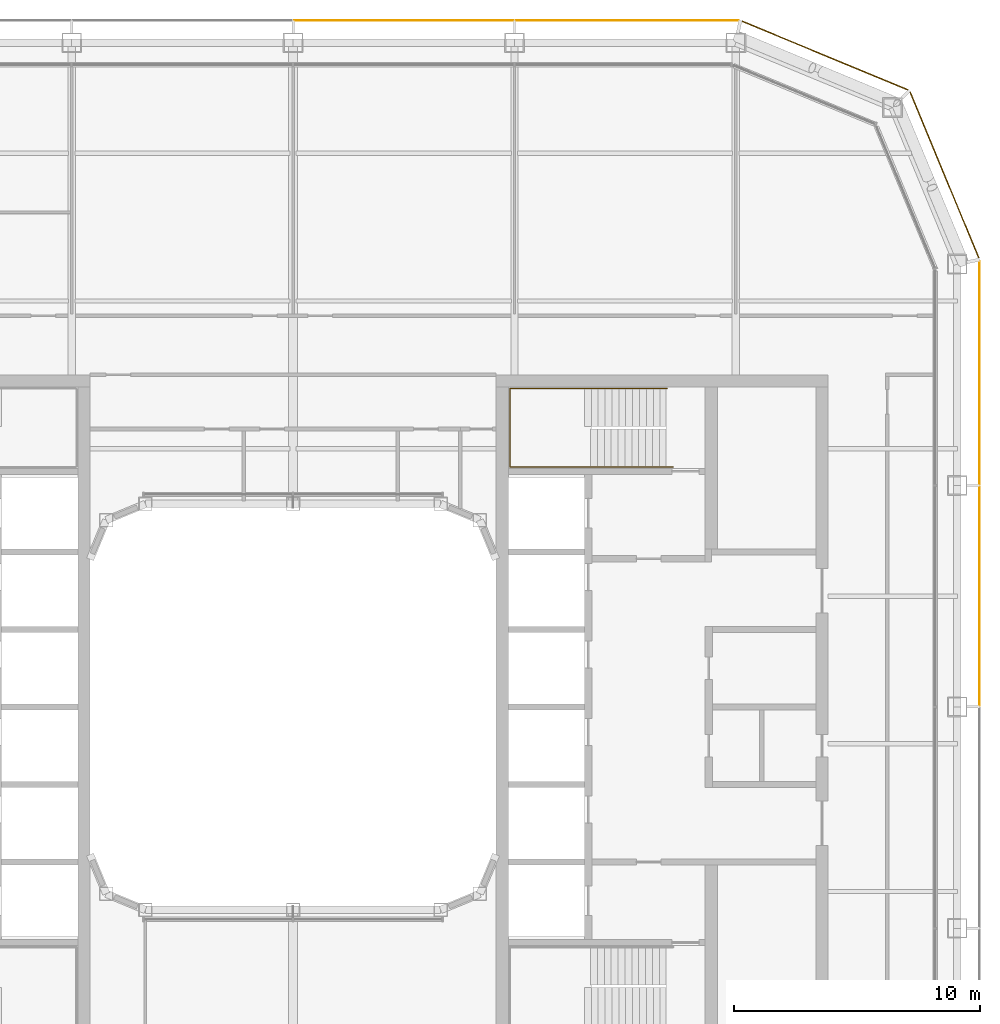
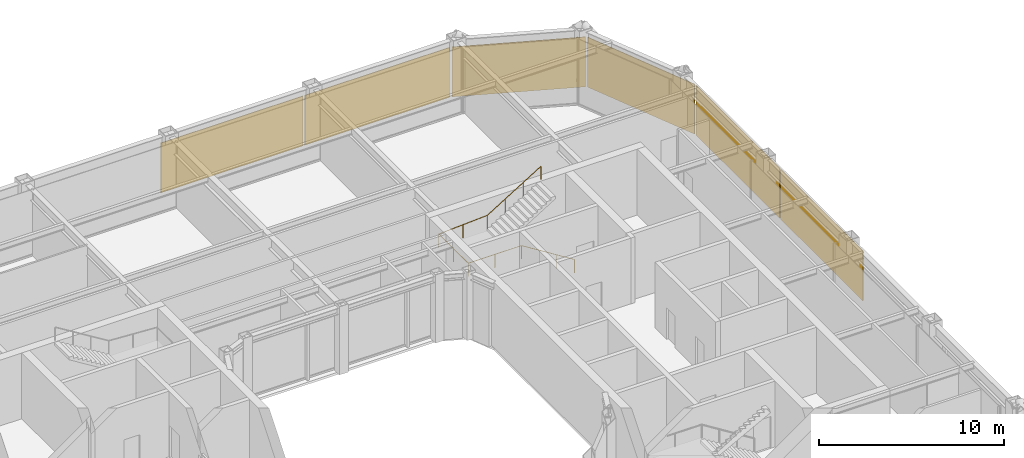
# One storey, part 19 of 19: 6 coverings, 1 railing.
"""IFC4 building model written with IfcOpenShell, lengths in metres."""

from ifc_helpers import new_model, si_unit, direction, frame, origin, origin_2d, place, context, subcontext, project, spatial, rectangle, circle, extrude, material, layer, layer_set, type_object, element, save


model = new_model("IFC4")

# Units and contexts
model_context = context("Model", 3, precision=1e-05, world=origin(), true_north=direction((0.0, 1.0)))
body_context = subcontext(model_context, "Body", "Model", "MODEL_VIEW")
ifc_project = project(units=[si_unit("LENGTHUNIT", "METRE"), si_unit("AREAUNIT", "SQUARE_METRE"), si_unit("VOLUMEUNIT", "CUBIC_METRE"), si_unit("PLANEANGLEUNIT", "RADIAN"), si_unit("MASSUNIT", "GRAM", prefix="KILO")], contexts=[model_context])

# Site, building, storey
site_placement = place(None, origin())
site = spatial("IfcSite", under=ifc_project, at=site_placement, CompositionType="ELEMENT")
building_placement = place(site_placement, origin())
building = spatial("IfcBuilding", under=site, at=building_placement, Name="Siwar Civic Tower", CompositionType="ELEMENT")
storey_placement = place(building_placement, frame((0.0, 0.0, 246.699951171875)))
storey = spatial("IfcBuildingStorey", under=building, at=storey_placement, Name="L53", CompositionType="ELEMENT", Elevation=246.699951171875)

# Railing
ifc_material_1 = material(Name="Stainless steel", Category="steel")
railing_type = type_object("IfcRailingType", Name="CORE-STAIR-HANDRAIL", PredefinedType="HANDRAIL", material=ifc_material_1)
railing_placement = place(storey_placement, frame((15.449951171875, 9.758056640625, 0.173095703125)))
element("IfcRailing", 1, at=railing_placement, inside=storey, type_object=railing_type, Name="Stair handrail ST3", PredefinedType="HANDRAIL", context=body_context, shape_type="SweptSolid", body=[
    extrude(circle(Radius=0.02001953125, at=origin_2d()), frame((0.0, 0.0, 0.8798828125), z_axis=(-0.847063342986, 0.0, 0.531491950051), x_axis=(0.0, -1.0, 0.0)), (0.0, 0.0, 1.0), 3.90771484375),
    extrude(circle(Radius=0.02001953125, at=origin_2d()), frame((-3.31005859375, 0.0, 2.956787109375), z_axis=(-1.0, 0.0, 0.0), x_axis=(0.0, -1.0, 0.0)), (0.0, 0.0, 1.0), 3.331787109375),
    extrude(circle(Radius=0.02001953125, at=origin_2d()), frame((-6.641845703125, 0.0, 2.956787109375), z_axis=(0.0, 1.0, 0.0), x_axis=(-1.0, 0.0, 0.0)), (0.0, 0.0, 1.0), 3.183837890625),
    extrude(circle(Radius=0.02001953125, at=origin_2d()), frame((-6.641845703125, 3.183837890625, 2.956787109375), z_axis=(0.99837434197, 0.0, 0.056997134106), x_axis=(0.0, 1.0, 0.0)), (0.0, 0.0, 1.0), 3.036865234375),
    extrude(circle(Radius=0.02001953125, at=origin_2d()), frame((-3.60986328125, 3.183837890625, 3.1298828125), z_axis=(0.850606129759, 0.0, 0.525803396734), x_axis=(0.0, 1.0, 0.0)), (0.0, 0.0, 1.0), 3.949951171875),
    extrude(circle(Radius=0.02001953125, at=origin_2d()), origin(), (0.0, 0.0, 1.0), 0.85986328125),
    extrude(circle(Radius=0.02001953125, at=origin_2d()), frame((-1.103271484375, 0.0, 0.6923828125)), (0.0, 0.0, 1.0), 0.85986328125),
    extrude(circle(Radius=0.02001953125, at=origin_2d()), frame((-2.206787109375, 0.0, 1.384521484375)), (0.0, 0.0, 1.0), 0.85986328125),
    extrude(circle(Radius=0.02001953125, at=origin_2d()), frame((-3.31005859375, 0.0, 2.076904296875)), (0.0, 0.0, 1.0), 0.85986328125),
    extrude(circle(Radius=0.02001953125, at=origin_2d()), frame((-4.97607421875, 0.0, 2.076904296875)), (0.0, 0.0, 1.0), 0.85986328125),
    extrude(circle(Radius=0.02001953125, at=origin_2d()), frame((-6.641845703125, 0.0, 2.076904296875)), (0.0, 0.0, 1.0), 0.85986328125),
    extrude(circle(Radius=0.02001953125, at=origin_2d()), frame((-6.641845703125, 1.591796875, 2.076904296875)), (0.0, 0.0, 1.0), 0.85986328125),
    extrude(circle(Radius=0.02001953125, at=origin_2d()), frame((-6.641845703125, 3.183837890625, 2.076904296875)), (0.0, 0.0, 1.0), 0.85986328125),
    extrude(circle(Radius=0.02001953125, at=origin_2d()), frame((-5.1259765625, 3.183837890625, 2.16357421875)), (0.0, 0.0, 1.0), 0.85986328125),
    extrude(circle(Radius=0.02001953125, at=origin_2d()), frame((-3.60986328125, 3.183837890625, 2.25)), (0.0, 0.0, 1.0), 0.85986328125),
    extrude(circle(Radius=0.02001953125, at=origin_2d()), frame((-2.489990234375, 3.183837890625, 2.9423828125)), (0.0, 0.0, 1.0), 0.85986328125),
    extrude(circle(Radius=0.02001953125, at=origin_2d()), frame((-1.369873046875, 3.183837890625, 3.634521484375)), (0.0, 0.0, 1.0), 0.85986328125),
    extrude(circle(Radius=0.02001953125, at=origin_2d()), frame((-0.25, 3.183837890625, 4.326904296875)), (0.0, 0.0, 1.0), 0.85986328125),
])

# Coverings
ifc_material_2 = material(Name="Perforated aluminium cassette, pale metal", Category="aluminium")
ifc_layer = layer(ifc_material_2, 0.0400390625)
ifc_layer_set = layer_set([ifc_layer], Name="Perforated aluminium cassette, pale metal")
covering_type = type_object("IfcCoveringType", Name="ENV-OUTER SKIN OS-1", PredefinedType="CLADDING", material=ifc_layer_set)
covering_1_placement = place(storey_placement, frame((27.89990234375, 4.5, -0.14990234375), z_axis=(0.0, 0.0, 1.0), x_axis=(0.0, 1.0, 0.0)))
element("IfcCovering", 2, at=covering_1_placement, inside=storey, type_object=covering_type, Name="OUTER SKIN OS-1 E 3", PredefinedType="CLADDING", context=body_context, shape_type="SweptSolid", body=[
    extrude(rectangle(XDim=8.89990234375, YDim=0.0400390625, at=origin_2d()), origin(), (0.0, 0.0, 1.0), 3.300048828125),
])
covering_2_placement = place(storey_placement, frame((27.89990234375, 13.57958984375, -0.14990234375), z_axis=(0.0, 0.0, 1.0), x_axis=(0.0, 1.0, 0.0)))
element("IfcCovering", 3, at=covering_2_placement, inside=storey, type_object=covering_type, Name="OUTER SKIN OS-1 E 4", PredefinedType="CLADDING", context=body_context, shape_type="SweptSolid", body=[
    extrude(rectangle(XDim=9.05908203125, YDim=0.0400390625, at=origin_2d()), origin(), (0.0, 0.0, 1.0), 3.300048828125),
])
for number, where, z_axis, x_axis, name in (
    (4, (26.476318359375, 21.615966796875, -0.14990234375), (0.0, 0.0, 1.0), (-0.382683432365, 0.923879532511, 0.0), "OUTER SKIN OS-1 NE1 1"),
    (5, (21.615966796875, 26.476318359375, -0.14990234375), (0.0, 0.0, 1.0), (-0.923879532511, 0.382683432365, 0.0), "OUTER SKIN OS-1 NE2 1"),
):
    element("IfcCovering", number, at=place(storey_placement, frame(where, z_axis=z_axis, x_axis=x_axis)), inside=storey, type_object=covering_type, Name=name, PredefinedType="CLADDING", context=body_context, shape_type="SweptSolid", body=[
        extrude(rectangle(XDim=7.300048828125, YDim=0.0400390625, at=origin_2d()), origin(), (0.0, 0.0, 1.0), 3.300048828125),
    ])
covering_3_placement = place(storey_placement, frame((13.57958984375, 27.89990234375, -0.14990234375), z_axis=(0.0, 0.0, 1.0), x_axis=(-1.0, 0.0, 0.0)))
element("IfcCovering", 6, at=covering_3_placement, inside=storey, type_object=covering_type, Name="OUTER SKIN OS-1 N 1", PredefinedType="CLADDING", context=body_context, shape_type="SweptSolid", body=[
    extrude(rectangle(XDim=9.05908203125, YDim=0.0400390625, at=origin_2d()), origin(), (0.0, 0.0, 1.0), 3.300048828125),
])
covering_4_placement = place(storey_placement, frame((4.5, 27.89990234375, -0.14990234375), z_axis=(0.0, 0.0, 1.0), x_axis=(-1.0, 0.0, 0.0)))
element("IfcCovering", 7, at=covering_4_placement, inside=storey, type_object=covering_type, Name="OUTER SKIN OS-1 N 2", PredefinedType="CLADDING", context=body_context, shape_type="SweptSolid", body=[
    extrude(rectangle(XDim=8.89990234375, YDim=0.0400390625, at=origin_2d()), origin(), (0.0, 0.0, 1.0), 3.300048828125),
])

save(model, "model.ifc")
